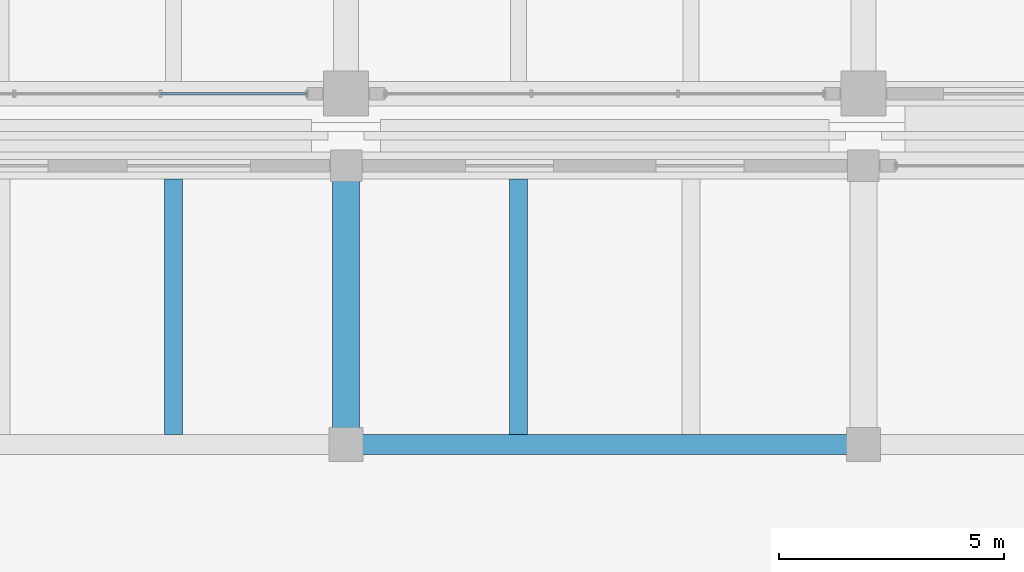
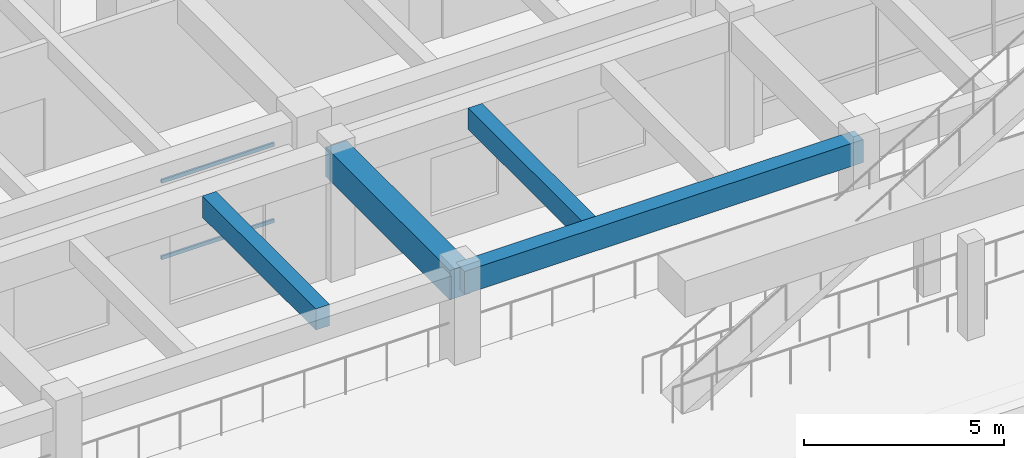
# One storey, part 27 of 109: 4 beams, 2 members, 1 element without a shape of its own.
"""IFC4 building model written with IfcOpenShell, lengths in metres."""

import ifcopenshell
import ifcopenshell.guid

model = None  # the IFC model being written
_history = None  # IfcOwnerHistory: only IFC2X3 demands one
_inside = {}  # id of a spatial element -> (the spatial element, [elements in it])
_under = {}  # id of a project, library or spatial element -> (it, [spatial elements below it])
_declared = {}  # id of a project -> (the project, [libraries it declares])
_typed = {}  # id of a type object -> (the type object, [elements of that type])
_made_of = {}  # id of a material, layer set ... -> (it, [elements and type objects made of it])


def new_model(schema):
    """Start an empty IFC model of exactly this schema.

    Asked for "IFC4X3", IfcOpenShell would pick the latest addendum, in which some entities
    have other attributes; the version numbers below select the first issue.
    IFC2X3 requires an IfcOwnerHistory on every rooted entity: one is made here for all.
    """
    global model, _history
    if schema == "IFC4X3":
        model = ifcopenshell.file(schema_version=(4, 3, 0, 0))
    else:
        model = ifcopenshell.file(schema=schema)
    _inside.clear()
    _under.clear()
    _declared.clear()
    _typed.clear()
    _made_of.clear()
    _history = None
    if model.schema == "IFC2X3":
        org = make("IfcOrganization", Name="unknown")
        user = make(
            "IfcPersonAndOrganization",
            ThePerson=make("IfcPerson", FamilyName="unknown"),
            TheOrganization=org,
        )
        app = make(
            "IfcApplication",
            ApplicationDeveloper=org,
            Version="unknown",
            ApplicationFullName="unknown",
            ApplicationIdentifier="unknown",
        )
        _history = make(
            "IfcOwnerHistory",
            OwningUser=user,
            OwningApplication=app,
            ChangeAction="ADDED",
            CreationDate=0,
        )
    return model


def make(cls, **values):
    """One entity of the class cls with the attributes given. An attribute that is None is left unset."""
    return model.create_entity(
        cls, **{name: value for name, value in values.items() if value is not None}
    )


def rooted(cls, **values):
    """An entity with a GlobalId (a new one), such as an element, a storey or a relation."""
    return make(cls, GlobalId=ifcopenshell.guid.new(), OwnerHistory=_history, **values)


def si_unit(unit_type, name, prefix=None):
    """IfcSIUnit, for example si_unit("LENGTHUNIT", "METRE", prefix="MILLI")."""
    return make("IfcSIUnit", UnitType=unit_type, Prefix=prefix, Name=name)


def assignment(units):
    """IfcUnitAssignment: the units of a project."""
    return None if units is None else make("IfcUnitAssignment", Units=units)


def point(xyz):
    """IfcCartesianPoint."""
    return None if xyz is None else make("IfcCartesianPoint", Coordinates=xyz)


def direction(xyz):
    """IfcDirection."""
    return None if xyz is None else make("IfcDirection", DirectionRatios=xyz)


def frame(location, z_axis=None, x_axis=None):
    """IfcAxis2Placement3D, a coordinate frame: its origin and axes. An axis left out is left unset."""
    return make(
        "IfcAxis2Placement3D",
        Location=point(location),
        Axis=direction(z_axis),
        RefDirection=direction(x_axis),
    )


def frame_2d(location, x_axis=None):
    """IfcAxis2Placement2D, a coordinate frame in the plane: its origin and x axis."""
    return make(
        "IfcAxis2Placement2D", Location=point(location), RefDirection=direction(x_axis)
    )


def origin():
    """The frame at (0, 0, 0) with its axes left unset."""
    return frame((0.0, 0.0, 0.0))


def origin_2d():
    """The frame at (0, 0) in the plane with its x axis left unset."""
    return frame_2d((0.0, 0.0))


def place(relative_to, where):
    """IfcLocalPlacement: puts the frame where relative to a parent placement (None: the world)."""
    return make(
        "IfcLocalPlacement", PlacementRelTo=relative_to, RelativePlacement=where
    )


def context(
    kind, dimensions, precision=None, world=None, true_north=None, identifier=None
):
    """IfcGeometricRepresentationContext, for example the 3D "Model" context."""
    return make(
        "IfcGeometricRepresentationContext",
        ContextIdentifier=identifier,
        ContextType=kind,
        CoordinateSpaceDimension=dimensions,
        Precision=precision,
        WorldCoordinateSystem=world,
        TrueNorth=true_north,
    )


def subcontext(parent, identifier, kind, view, scale=None):
    """IfcGeometricRepresentationSubContext, for example "Body" below "Model"."""
    return make(
        "IfcGeometricRepresentationSubContext",
        ContextIdentifier=identifier,
        ContextType=kind,
        ParentContext=parent,
        TargetScale=scale,
        TargetView=view,
    )


def project(units=None, contexts=None):
    """IfcProject with its units and contexts."""
    return rooted(
        "IfcProject",
        Name="project",
        RepresentationContexts=contexts,
        UnitsInContext=assignment(units),
    )


def spatial(cls, under=None, at=None, **own):
    """A site, building, storey or space (cls), placed at a placement, below another one or the project."""
    s = rooted(cls, ObjectPlacement=at, **own)
    if under is not None:
        _under.setdefault(under.id(), (under, []))[1].append(s)
    return s


def profile(cls, at=None, kind="AREA", **sizes):
    """A parametric profile (cls). Its sizes go by their IFC names, for example OverallWidth=200.0."""
    return make(cls, ProfileType=kind, Position=at, **sizes)


def rectangle(**sizes):
    """IfcRectangleProfileDef."""
    return profile("IfcRectangleProfileDef", **sizes)


def hollow_rectangle(**sizes):
    """IfcRectangleHollowProfileDef."""
    return profile("IfcRectangleHollowProfileDef", **sizes)


def extrude(swept, where, along, depth):
    """IfcExtrudedAreaSolid: the profile swept, set in the frame where, extruded along a direction by depth."""
    return make(
        "IfcExtrudedAreaSolid",
        SweptArea=swept,
        Position=where,
        ExtrudedDirection=direction(along),
        Depth=depth,
    )


def shape(context_of_items, identifier, shape_type, items):
    """IfcShapeRepresentation: the items that make up one representation, for example the "Body"."""
    return make(
        "IfcShapeRepresentation",
        ContextOfItems=context_of_items,
        RepresentationIdentifier=identifier,
        RepresentationType=shape_type,
        Items=items,
    )


def material(Name=None, Category=None):
    """IfcMaterial."""
    return make("IfcMaterial", Name=Name, Category=Category)


def material_profile(
    of_material, cross_section, Name=None, Category=None, Priority=None
):
    """IfcMaterialProfile: a cross section and its material."""
    return make(
        "IfcMaterialProfile",
        Name=Name,
        Material=of_material,
        Profile=cross_section,
        Priority=Priority,
        Category=Category,
    )


def profile_set(profiles, Name=None, composite=None):
    """IfcMaterialProfileSet."""
    return make(
        "IfcMaterialProfileSet",
        Name=Name,
        MaterialProfiles=profiles,
        CompositeProfile=composite,
    )


def made_of(thing, what):
    """Note that an element or type object is made of a material, layer set ...; save() writes the relation."""
    if what is not None:
        _made_of.setdefault(what.id(), (what, []))[1].append(thing)
    return thing


def type_object(cls, material=None, **own):
    """A type object (cls), such as IfcWallType, which elements share."""
    return made_of(rooted(cls, **own), material)


def element(
    cls,
    number,
    at=None,
    inside=None,
    cuts=None,
    type_object=None,
    material=None,
    context=None,
    identifier="Body",
    shape_type=None,
    held_by="IfcProductDefinitionShape",
    body=None,
    shapes=None,
    **own,
):
    """One element of the class cls, such as IfcWall. Its Tag is "e" and its number.

    at: its placement. inside: the storey or other place that contains it. cuts: it is an
    opening in that element (IfcRelVoidsElement). A single representation is given by context,
    identifier, shape_type and body (its items); several are given by shapes. held_by: the class
    of the entity that holds the representations. save() writes the other relations.
    """
    e = rooted(cls, Tag="e%d" % number, ObjectPlacement=at, **own)
    if body is not None:
        shapes = [shape(context, identifier, shape_type, body)]
    if shapes is not None:
        e.Representation = make(held_by, Representations=shapes)
    if inside is not None:
        _inside.setdefault(inside.id(), (inside, []))[1].append(e)
    if cuts is not None:
        rooted(
            "IfcRelVoidsElement", RelatingBuildingElement=cuts, RelatedOpeningElement=e
        )
    if type_object is not None:
        _typed.setdefault(type_object.id(), (type_object, []))[1].append(e)
    return made_of(e, material)


def aggregate(whole, parts):
    """IfcRelAggregates: a whole, such as a stair, and the parts it consists of."""
    return rooted("IfcRelAggregates", RelatingObject=whole, RelatedObjects=parts)


def save(model, path):
    """Write the relations noted so far, then the file.

    IfcRelAggregates (storeys below a building ...), IfcRelContainedInSpatialStructure (elements
    in a storey), IfcRelDefinesByType, IfcRelAssociatesMaterial and IfcRelDeclares: one each for
    every whole, place, type object, material and project.
    """
    for whole, parts in _under.values():
        aggregate(whole, parts)
    for where, things in _inside.values():
        rooted(
            "IfcRelContainedInSpatialStructure",
            RelatedElements=things,
            RelatingStructure=where,
        )
    for kind, things in _typed.values():
        rooted("IfcRelDefinesByType", RelatedObjects=things, RelatingType=kind)
    for what, things in _made_of.values():
        rooted("IfcRelAssociatesMaterial", RelatedObjects=things, RelatingMaterial=what)
    for by, libraries in _declared.values():
        rooted("IfcRelDeclares", RelatingContext=by, RelatedDefinitions=libraries)
    model.write(path)


model = new_model("IFC4")

# Units and contexts
model_context = context("Model", 3, precision=1e-05, world=origin(), true_north=direction((0.0, 1.0)))
body_context = subcontext(model_context, "Body", "Model", "MODEL_VIEW")
ifc_project = project(units=[si_unit("LENGTHUNIT", "METRE"), si_unit("AREAUNIT", "SQUARE_METRE"), si_unit("VOLUMEUNIT", "CUBIC_METRE"), si_unit("PLANEANGLEUNIT", "RADIAN"), si_unit("MASSUNIT", "GRAM", prefix="KILO")], contexts=[model_context])

# Site, building, storey
site_placement = place(None, origin())
site = spatial("IfcSite", under=ifc_project, at=site_placement, CompositionType="ELEMENT")
building_placement = place(site_placement, origin())
building = spatial("IfcBuilding", under=site, at=building_placement, Name="Ologun Quay Terminus", CompositionType="ELEMENT")
storey_placement = place(building_placement, origin())
storey = spatial("IfcBuildingStorey", under=building, at=storey_placement, Name="L00", CompositionType="ELEMENT", Elevation=0.0)

# Curtain wall, members
ifc_material_1 = material(Name="Aluminium 6063-T6", Category="aluminium")
curtain_wall_type = type_object("IfcCurtainWallType", Name="Waterfront Pavilion Harbour Curtain Wall L00 10500x3750", PredefinedType="USERDEFINED", material=ifc_material_1)
curtain_wall_placement = place(storey_placement, origin())
curtain_wall = element("IfcCurtainWall", 1, at=curtain_wall_placement, inside=storey, type_object=curtain_wall_type, Name="CW-22 Curtain Wall CW-L00-092", ObjectType="UNITISED CURTAIN WALL", PredefinedType="USERDEFINED")
ifc_material_2 = material(Name="Aluminium 6063-T6", Category="aluminium")
ifc_material_profile_1 = material_profile(ifc_material_2, hollow_rectangle(XDim=0.054931640625, YDim=0.110107421875, WallThickness=0.00390625, at=origin_2d()), Name="ALU 110x55x4")
ifc_profile_set_1 = profile_set([ifc_material_profile_1], Name="Aluminium 6063-T6")
member_type = type_object("IfcMemberType", Name="Courtyard Screen Transom 110x55", PredefinedType="USERDEFINED", material=ifc_profile_set_1)
member_1_placement = place(storey_placement, frame((30.376708984375, 85.800048828125, 0.89990234375), z_axis=(1.0, 0.0, 0.0), x_axis=(0.0, 1.0, 0.0)))
member_1 = element("IfcMember", 2, at=member_1_placement, type_object=member_type, Name="CW-L00-092 Transom B3-1", ObjectType="TRANSOM", PredefinedType="USERDEFINED", context=body_context, shape_type="SweptSolid", body=[
    extrude(hollow_rectangle(XDim=0.054931640625, YDim=0.110107421875, WallThickness=0.00390625, at=origin_2d()), origin(), (0.0, 0.0, 1.0), 3.253173828125),
])
member_2_placement = place(storey_placement, frame((30.376708984375, 85.800048828125, 3.22998046875), z_axis=(1.0, 0.0, 0.0), x_axis=(0.0, 1.0, 0.0)))
member_2 = element("IfcMember", 3, at=member_2_placement, type_object=member_type, Name="CW-L00-092 Transom B3-2", ObjectType="TRANSOM", PredefinedType="USERDEFINED", context=body_context, shape_type="SweptSolid", body=[
    extrude(hollow_rectangle(XDim=0.054931640625, YDim=0.110107421875, WallThickness=0.00390625, at=origin_2d()), origin(), (0.0, 0.0, 1.0), 3.253173828125),
])
aggregate(curtain_wall, [member_1, member_2])

# Beams
ifc_material_3 = material(Name="Concrete C40/50", Category="concrete")
ifc_material_profile_2 = material_profile(ifc_material_3, rectangle(XDim=0.449951171875, YDim=0.699951171875, at=origin_2d()), Name="RC 450x700")
ifc_profile_set_2 = profile_set([ifc_material_profile_2], Name="Concrete C40/50")
beam_type_1 = type_object("IfcBeamType", Name="Perimeter Spandrel Beam 450x700", PredefinedType="SPANDREL", material=ifc_profile_set_2)
beam_1_placement = place(storey_placement, frame((34.5, 78.0, 3.550048828125), z_axis=(1.0, 0.0, 0.0), x_axis=(0.0, 1.0, 0.0)))
element("IfcBeam", 4, at=beam_1_placement, inside=storey, type_object=beam_type_1, Name="SP1 Beam 4/F L00", PredefinedType="SPANDREL", context=body_context, shape_type="SweptSolid", body=[
    extrude(rectangle(XDim=0.449951171875, YDim=0.699951171875, at=origin_2d()), origin(), (0.0, 0.0, 1.0), 11.5),
])
ifc_material_4 = material(Name="Concrete C40/50", Category="concrete")
ifc_material_profile_3 = material_profile(ifc_material_4, rectangle(XDim=0.60009765625, YDim=0.89990234375, at=origin_2d()), Name="RC 600x900")
ifc_profile_set_3 = profile_set([ifc_material_profile_3], Name="Concrete C40/50")
beam_type_2 = type_object("IfcBeamType", Name="Station Frame Girder 600x900", PredefinedType="BEAM", material=ifc_profile_set_3)
beam_2_placement = place(storey_placement, frame((34.5, 78.0, 3.449951171875), z_axis=(0.0, 1.0, 0.0), x_axis=(-1.0, 0.0, 0.0)))
element("IfcBeam", 5, at=beam_2_placement, inside=storey, type_object=beam_type_2, Name="B3 Beam 4/F L00", PredefinedType="BEAM", context=body_context, shape_type="SweptSolid", body=[
    extrude(rectangle(XDim=0.60009765625, YDim=0.89990234375, at=origin_2d()), origin(), (0.0, 0.0, 1.0), 6.199951171875),
])
ifc_material_5 = material(Name="Concrete C40/50", Category="concrete")
ifc_material_profile_4 = material_profile(ifc_material_5, rectangle(XDim=0.39990234375, YDim=0.64990234375, at=origin_2d()), Name="RC 400x650")
ifc_profile_set_4 = profile_set([ifc_material_profile_4], Name="Concrete C40/50")
beam_type_3 = type_object("IfcBeamType", Name="Station Secondary Joist 400x650", PredefinedType="JOIST", material=ifc_profile_set_4)
for number, where, z_axis, x_axis, name in (
    (6, (30.666748046875, 78.22509765625, 3.574951171875), (0.0, 1.0, 0.0), (-1.0, 0.0, 0.0), "J1 Beam 3/F L00"),
    (7, (38.333251953125, 78.22509765625, 3.574951171875), (0.0, 1.0, 0.0), (-1.0, 0.0, 0.0), "J1 Beam 4/F L00"),
):
    element("IfcBeam", number, at=place(storey_placement, frame(where, z_axis=z_axis, x_axis=x_axis)), inside=storey, type_object=beam_type_3, Name=name, PredefinedType="JOIST", context=body_context, shape_type="SweptSolid", body=[
        extrude(rectangle(XDim=0.39990234375, YDim=0.64990234375, at=origin_2d()), origin(), (0.0, 0.0, 1.0), 5.6748046875),
    ])

save(model, "model.ifc")
